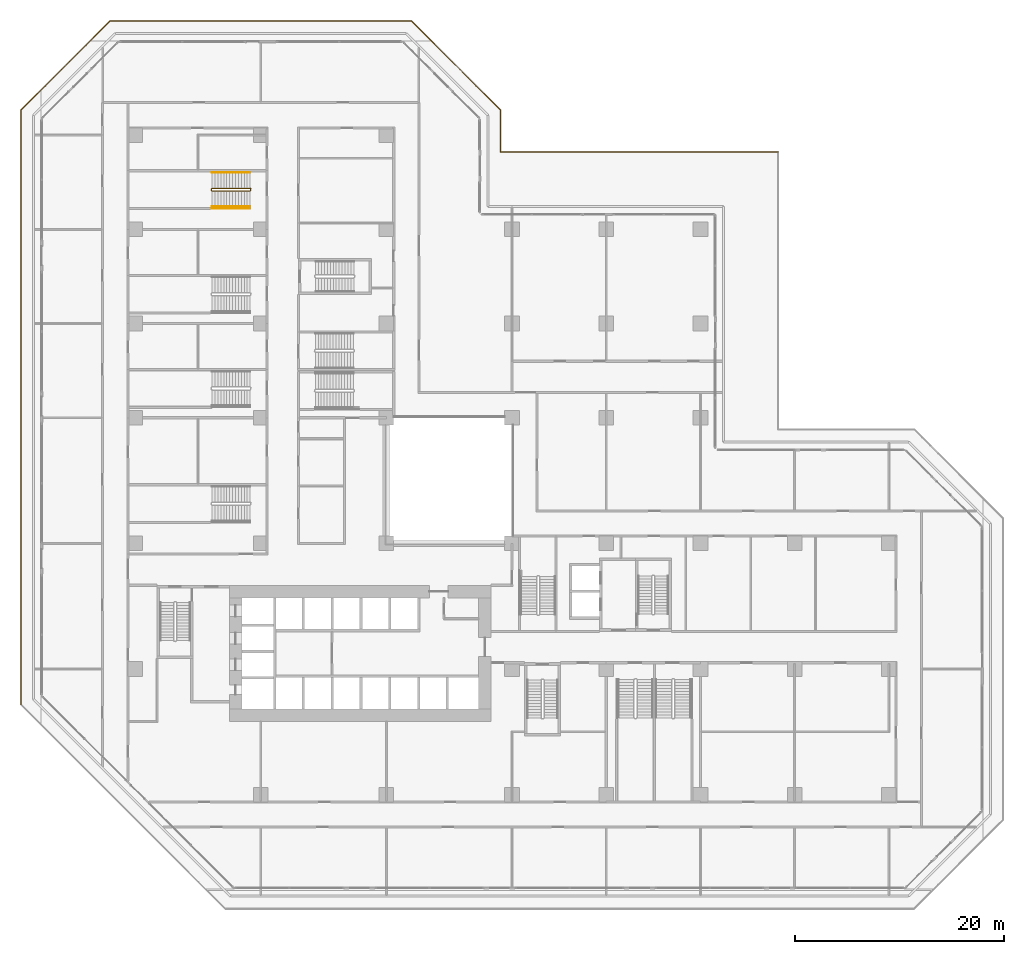
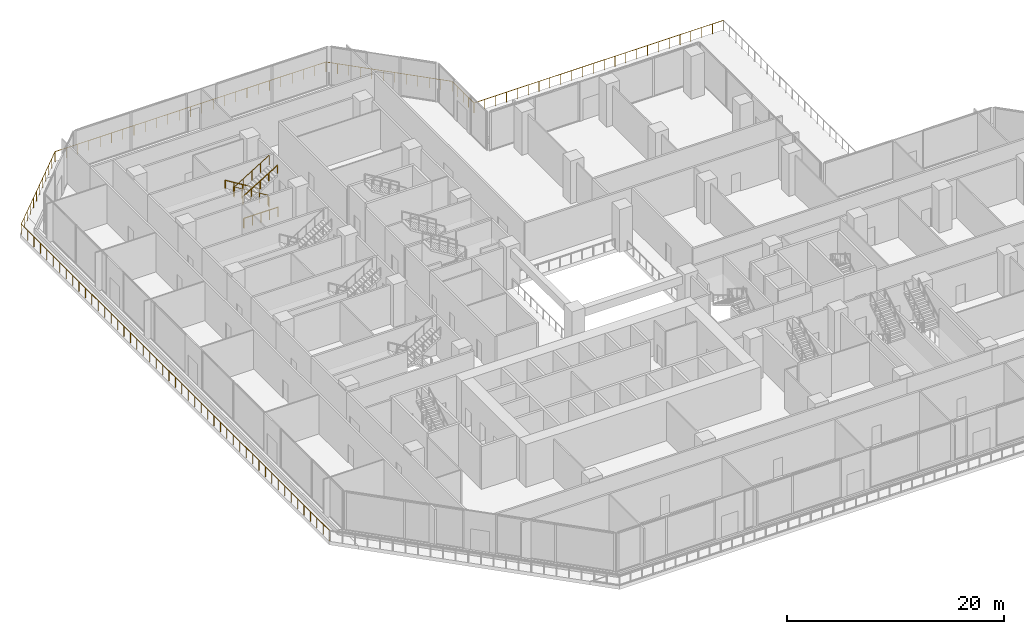
# One storey, part 26 of 26: 5 railings.
"""IFC4 building model written with IfcOpenShell, lengths in metres."""

import ifcopenshell
import ifcopenshell.guid

model = None  # the IFC model being written
_history = None  # IfcOwnerHistory: only IFC2X3 demands one
_inside = {}  # id of a spatial element -> (the spatial element, [elements in it])
_under = {}  # id of a project, library or spatial element -> (it, [spatial elements below it])
_declared = {}  # id of a project -> (the project, [libraries it declares])
_typed = {}  # id of a type object -> (the type object, [elements of that type])
_made_of = {}  # id of a material, layer set ... -> (it, [elements and type objects made of it])


def new_model(schema):
    """Start an empty IFC model of exactly this schema.

    Asked for "IFC4X3", IfcOpenShell would pick the latest addendum, in which some entities
    have other attributes; the version numbers below select the first issue.
    IFC2X3 requires an IfcOwnerHistory on every rooted entity: one is made here for all.
    """
    global model, _history
    if schema == "IFC4X3":
        model = ifcopenshell.file(schema_version=(4, 3, 0, 0))
    else:
        model = ifcopenshell.file(schema=schema)
    _inside.clear()
    _under.clear()
    _declared.clear()
    _typed.clear()
    _made_of.clear()
    _history = None
    if model.schema == "IFC2X3":
        org = make("IfcOrganization", Name="unknown")
        user = make(
            "IfcPersonAndOrganization",
            ThePerson=make("IfcPerson", FamilyName="unknown"),
            TheOrganization=org,
        )
        app = make(
            "IfcApplication",
            ApplicationDeveloper=org,
            Version="unknown",
            ApplicationFullName="unknown",
            ApplicationIdentifier="unknown",
        )
        _history = make(
            "IfcOwnerHistory",
            OwningUser=user,
            OwningApplication=app,
            ChangeAction="ADDED",
            CreationDate=0,
        )
    return model


def make(cls, **values):
    """One entity of the class cls with the attributes given. An attribute that is None is left unset."""
    return model.create_entity(
        cls, **{name: value for name, value in values.items() if value is not None}
    )


def rooted(cls, **values):
    """An entity with a GlobalId (a new one), such as an element, a storey or a relation."""
    return make(cls, GlobalId=ifcopenshell.guid.new(), OwnerHistory=_history, **values)


def si_unit(unit_type, name, prefix=None):
    """IfcSIUnit, for example si_unit("LENGTHUNIT", "METRE", prefix="MILLI")."""
    return make("IfcSIUnit", UnitType=unit_type, Prefix=prefix, Name=name)


def assignment(units):
    """IfcUnitAssignment: the units of a project."""
    return None if units is None else make("IfcUnitAssignment", Units=units)


def point(xyz):
    """IfcCartesianPoint."""
    return None if xyz is None else make("IfcCartesianPoint", Coordinates=xyz)


def direction(xyz):
    """IfcDirection."""
    return None if xyz is None else make("IfcDirection", DirectionRatios=xyz)


def frame(location, z_axis=None, x_axis=None):
    """IfcAxis2Placement3D, a coordinate frame: its origin and axes. An axis left out is left unset."""
    return make(
        "IfcAxis2Placement3D",
        Location=point(location),
        Axis=direction(z_axis),
        RefDirection=direction(x_axis),
    )


def frame_2d(location, x_axis=None):
    """IfcAxis2Placement2D, a coordinate frame in the plane: its origin and x axis."""
    return make(
        "IfcAxis2Placement2D", Location=point(location), RefDirection=direction(x_axis)
    )


def origin():
    """The frame at (0, 0, 0) with its axes left unset."""
    return frame((0.0, 0.0, 0.0))


def origin_2d():
    """The frame at (0, 0) in the plane with its x axis left unset."""
    return frame_2d((0.0, 0.0))


def place(relative_to, where):
    """IfcLocalPlacement: puts the frame where relative to a parent placement (None: the world)."""
    return make(
        "IfcLocalPlacement", PlacementRelTo=relative_to, RelativePlacement=where
    )


def context(
    kind, dimensions, precision=None, world=None, true_north=None, identifier=None
):
    """IfcGeometricRepresentationContext, for example the 3D "Model" context."""
    return make(
        "IfcGeometricRepresentationContext",
        ContextIdentifier=identifier,
        ContextType=kind,
        CoordinateSpaceDimension=dimensions,
        Precision=precision,
        WorldCoordinateSystem=world,
        TrueNorth=true_north,
    )


def subcontext(parent, identifier, kind, view, scale=None):
    """IfcGeometricRepresentationSubContext, for example "Body" below "Model"."""
    return make(
        "IfcGeometricRepresentationSubContext",
        ContextIdentifier=identifier,
        ContextType=kind,
        ParentContext=parent,
        TargetScale=scale,
        TargetView=view,
    )


def project(units=None, contexts=None):
    """IfcProject with its units and contexts."""
    return rooted(
        "IfcProject",
        Name="project",
        RepresentationContexts=contexts,
        UnitsInContext=assignment(units),
    )


def spatial(cls, under=None, at=None, **own):
    """A site, building, storey or space (cls), placed at a placement, below another one or the project."""
    s = rooted(cls, ObjectPlacement=at, **own)
    if under is not None:
        _under.setdefault(under.id(), (under, []))[1].append(s)
    return s


def profile(cls, at=None, kind="AREA", **sizes):
    """A parametric profile (cls). Its sizes go by their IFC names, for example OverallWidth=200.0."""
    return make(cls, ProfileType=kind, Position=at, **sizes)


def rectangle(**sizes):
    """IfcRectangleProfileDef."""
    return profile("IfcRectangleProfileDef", **sizes)


def extrude(swept, where, along, depth):
    """IfcExtrudedAreaSolid: the profile swept, set in the frame where, extruded along a direction by depth."""
    return make(
        "IfcExtrudedAreaSolid",
        SweptArea=swept,
        Position=where,
        ExtrudedDirection=direction(along),
        Depth=depth,
    )


def shape(context_of_items, identifier, shape_type, items):
    """IfcShapeRepresentation: the items that make up one representation, for example the "Body"."""
    return make(
        "IfcShapeRepresentation",
        ContextOfItems=context_of_items,
        RepresentationIdentifier=identifier,
        RepresentationType=shape_type,
        Items=items,
    )


def material(Name=None, Category=None):
    """IfcMaterial."""
    return make("IfcMaterial", Name=Name, Category=Category)


def made_of(thing, what):
    """Note that an element or type object is made of a material, layer set ...; save() writes the relation."""
    if what is not None:
        _made_of.setdefault(what.id(), (what, []))[1].append(thing)
    return thing


def type_object(cls, material=None, **own):
    """A type object (cls), such as IfcWallType, which elements share."""
    return made_of(rooted(cls, **own), material)


def element(
    cls,
    number,
    at=None,
    inside=None,
    cuts=None,
    type_object=None,
    material=None,
    context=None,
    identifier="Body",
    shape_type=None,
    held_by="IfcProductDefinitionShape",
    body=None,
    shapes=None,
    **own,
):
    """One element of the class cls, such as IfcWall. Its Tag is "e" and its number.

    at: its placement. inside: the storey or other place that contains it. cuts: it is an
    opening in that element (IfcRelVoidsElement). A single representation is given by context,
    identifier, shape_type and body (its items); several are given by shapes. held_by: the class
    of the entity that holds the representations. save() writes the other relations.
    """
    e = rooted(cls, Tag="e%d" % number, ObjectPlacement=at, **own)
    if body is not None:
        shapes = [shape(context, identifier, shape_type, body)]
    if shapes is not None:
        e.Representation = make(held_by, Representations=shapes)
    if inside is not None:
        _inside.setdefault(inside.id(), (inside, []))[1].append(e)
    if cuts is not None:
        rooted(
            "IfcRelVoidsElement", RelatingBuildingElement=cuts, RelatedOpeningElement=e
        )
    if type_object is not None:
        _typed.setdefault(type_object.id(), (type_object, []))[1].append(e)
    return made_of(e, material)


def aggregate(whole, parts):
    """IfcRelAggregates: a whole, such as a stair, and the parts it consists of."""
    return rooted("IfcRelAggregates", RelatingObject=whole, RelatedObjects=parts)


def save(model, path):
    """Write the relations noted so far, then the file.

    IfcRelAggregates (storeys below a building ...), IfcRelContainedInSpatialStructure (elements
    in a storey), IfcRelDefinesByType, IfcRelAssociatesMaterial and IfcRelDeclares: one each for
    every whole, place, type object, material and project.
    """
    for whole, parts in _under.values():
        aggregate(whole, parts)
    for where, things in _inside.values():
        rooted(
            "IfcRelContainedInSpatialStructure",
            RelatedElements=things,
            RelatingStructure=where,
        )
    for kind, things in _typed.values():
        rooted("IfcRelDefinesByType", RelatedObjects=things, RelatingType=kind)
    for what, things in _made_of.values():
        rooted("IfcRelAssociatesMaterial", RelatedObjects=things, RelatingMaterial=what)
    for by, libraries in _declared.values():
        rooted("IfcRelDeclares", RelatingContext=by, RelatedDefinitions=libraries)
    model.write(path)


model = new_model("IFC4")

# Units and contexts
model_context = context("Model", 3, precision=1e-05, world=origin(), true_north=direction((0.0, 1.0)))
body_context = subcontext(model_context, "Body", "Model", "MODEL_VIEW")
ifc_project = project(units=[si_unit("LENGTHUNIT", "METRE"), si_unit("AREAUNIT", "SQUARE_METRE"), si_unit("VOLUMEUNIT", "CUBIC_METRE"), si_unit("PLANEANGLEUNIT", "RADIAN"), si_unit("MASSUNIT", "GRAM", prefix="KILO")], contexts=[model_context])

# Site, building, storey
site_placement = place(None, origin())
site = spatial("IfcSite", under=ifc_project, at=site_placement, CompositionType="ELEMENT")
building_placement = place(site_placement, origin())
building = spatial("IfcBuilding", under=site, at=building_placement, Name="Chenar Terraces", CompositionType="ELEMENT")
storey_placement = place(building_placement, frame((0.0, 0.0, 16.800048828125)))
storey = spatial("IfcBuildingStorey", under=building, at=storey_placement, Name="L03", CompositionType="ELEMENT", Elevation=16.800048828125)

# Railings
ifc_material_1 = material(Name="Powder-coated steel", Category="steel")
railing_type_1 = type_object("IfcRailingType", Name="Stair guard 1100", PredefinedType="GUARDRAIL", material=ifc_material_1)
railing_1_placement = place(storey_placement, frame((10.985107421875, 57.675048828125, 4.800048828125)))
element("IfcRailing", 1, at=railing_1_placement, inside=storey, type_object=railing_type_1, Name="L03 PS3 stair guard 1", PredefinedType="GUARDRAIL", context=body_context, shape_type="SweptSolid", body=[
    extrude(rectangle(XDim=0.048095703125, YDim=0.048095703125, at=origin_2d()), frame((0.0, 0.0, 1.076171875), z_axis=(-0.852840387347, 0.0, -0.522171689878), x_axis=(0.0, -1.0, 0.0)), (0.0, 0.0, 1.0), 4.268310546875),
    extrude(rectangle(XDim=0.048095703125, YDim=0.048095703125, at=origin_2d()), frame((-3.64013671875, 0.0, -1.15283203125), z_axis=(-0.269911200495, 0.269911200495, -0.924281281696), x_axis=(-0.707106781187, -0.707106781187, 0.0)), (0.0, 0.0, 1.0), 0.185546875),
    extrude(rectangle(XDim=0.048095703125, YDim=0.048095703125, at=origin_2d()), frame((-3.690185546875, 0.050048828125, -1.32421875), z_axis=(0.0, 1.0, 0.0), x_axis=(-1.0, 0.0, 0.0)), (0.0, 0.0, 1.0), 0.14990234375),
    extrude(rectangle(XDim=0.048095703125, YDim=0.048095703125, at=origin_2d()), frame((-3.690185546875, 0.199951171875, -1.32421875), z_axis=(0.707106781187, 0.707106781187, 0.0), x_axis=(-0.707106781187, 0.707106781187, 0.0)), (0.0, 0.0, 1.0), 0.07080078125),
    extrude(rectangle(XDim=0.048095703125, YDim=0.048095703125, at=origin_2d()), frame((-3.64013671875, 0.25, -1.32421875), z_axis=(0.852865859571, 0.0, -0.52213008492), x_axis=(0.0, 1.0, 0.0)), (0.0, 0.0, 1.0), 4.26806640625),
    extrude(rectangle(XDim=0.048095703125, YDim=0.048095703125, at=origin_2d()), frame((0.0, 0.25, -3.552734375), z_axis=(0.268689830376, -0.270006937388, -0.924609122178), x_axis=(0.708833529934, 0.705375805398, 0.0)), (0.0, 0.0, 1.0), 0.185302734375),
    extrude(rectangle(XDim=0.048095703125, YDim=0.048095703125, at=origin_2d()), frame((0.0498046875, 0.199951171875, -3.72412109375), z_axis=(0.0, -1.0, 0.0), x_axis=(1.0, 0.0, 0.0)), (0.0, 0.0, 1.0), 0.14990234375),
    extrude(rectangle(XDim=0.0419921875, YDim=0.0419921875, at=origin_2d()), origin(), (0.0, 0.0, 1.0), 1.052001953125),
    extrude(rectangle(XDim=0.0419921875, YDim=0.0419921875, at=origin_2d()), frame((-0.91015625, 0.0, -0.55712890625)), (0.0, 0.0, 1.0), 1.052001953125),
    extrude(rectangle(XDim=0.0419921875, YDim=0.0419921875, at=origin_2d()), frame((-1.820068359375, 0.0, -1.1142578125)), (0.0, 0.0, 1.0), 1.052001953125),
    extrude(rectangle(XDim=0.0419921875, YDim=0.0419921875, at=origin_2d()), frame((-2.72998046875, 0.0, -1.671630859375)), (0.0, 0.0, 1.0), 1.052001953125),
    extrude(rectangle(XDim=0.0419921875, YDim=0.0419921875, at=origin_2d()), frame((-3.64013671875, 0.0, -2.228759765625)), (0.0, 0.0, 1.0), 1.052001953125),
    extrude(rectangle(XDim=0.0419921875, YDim=0.0419921875, at=origin_2d()), frame((-3.690185546875, 0.050048828125, -2.400146484375)), (0.0, 0.0, 1.0), 1.052001953125),
    extrude(rectangle(XDim=0.0419921875, YDim=0.0419921875, at=origin_2d()), frame((-3.690185546875, 0.199951171875, -2.400146484375)), (0.0, 0.0, 1.0), 1.052001953125),
    extrude(rectangle(XDim=0.0419921875, YDim=0.0419921875, at=origin_2d()), frame((-3.64013671875, 0.25, -2.400146484375)), (0.0, 0.0, 1.0), 1.052001953125),
    extrude(rectangle(XDim=0.0419921875, YDim=0.0419921875, at=origin_2d()), frame((-2.72998046875, 0.25, -2.957275390625)), (0.0, 0.0, 1.0), 1.052001953125),
    extrude(rectangle(XDim=0.0419921875, YDim=0.0419921875, at=origin_2d()), frame((-1.820068359375, 0.25, -3.514404296875)), (0.0, 0.0, 1.0), 1.052001953125),
    extrude(rectangle(XDim=0.0419921875, YDim=0.0419921875, at=origin_2d()), frame((-0.91015625, 0.25, -4.071533203125)), (0.0, 0.0, 1.0), 1.052001953125),
    extrude(rectangle(XDim=0.0419921875, YDim=0.0419921875, at=origin_2d()), frame((0.0, 0.25, -4.628662109375)), (0.0, 0.0, 1.0), 1.052001953125),
    extrude(rectangle(XDim=0.0419921875, YDim=0.0419921875, at=origin_2d()), frame((0.0498046875, 0.199951171875, -4.800048828125)), (0.0, 0.0, 1.0), 1.052001953125),
    extrude(rectangle(XDim=0.0419921875, YDim=0.0419921875, at=origin_2d()), frame((0.0498046875, 0.050048828125, -4.800048828125)), (0.0, 0.0, 1.0), 1.052001953125),
])
railing_2_placement = place(storey_placement, frame((7.32421875, 56.010009765625, 0.0)))
element("IfcRailing", 2, at=railing_2_placement, inside=storey, type_object=railing_type_1, Name="L03 PS3 stair guard 101", PredefinedType="GUARDRAIL", context=body_context, shape_type="SweptSolid", body=[
    extrude(rectangle(XDim=0.048095703125, YDim=0.048095703125, at=origin_2d()), frame((0.0, 0.0, 1.076171875), z_axis=(1.0, 0.0, 0.0), x_axis=(0.0, 1.0, 0.0)), (0.0, 0.0, 1.0), 3.660888671875),
    extrude(rectangle(XDim=0.0419921875, YDim=0.0419921875, at=origin_2d()), origin(), (0.0, 0.0, 1.0), 1.052001953125),
    extrude(rectangle(XDim=0.0419921875, YDim=0.0419921875, at=origin_2d()), frame((0.915283203125, 0.0, 0.0)), (0.0, 0.0, 1.0), 1.052001953125),
    extrude(rectangle(XDim=0.0419921875, YDim=0.0419921875, at=origin_2d()), frame((1.83056640625, 0.0, 0.0)), (0.0, 0.0, 1.0), 1.052001953125),
    extrude(rectangle(XDim=0.0419921875, YDim=0.0419921875, at=origin_2d()), frame((2.74560546875, 0.0, 0.0)), (0.0, 0.0, 1.0), 1.052001953125),
    extrude(rectangle(XDim=0.0419921875, YDim=0.0419921875, at=origin_2d()), frame((3.660888671875, 0.0, 0.0)), (0.0, 0.0, 1.0), 1.052001953125),
])
ifc_material_2 = material(Name="Powder-coated steel", Category="steel")
railing_type_2 = type_object("IfcRailingType", Name="Stair handrail 900", PredefinedType="HANDRAIL", material=ifc_material_2)
railing_3_placement = place(storey_placement, frame((10.985107421875, 59.43994140625, 0.17138671875)))
element("IfcRailing", 3, at=railing_3_placement, inside=storey, type_object=railing_type_2, Name="L03 PS3 stair handrail 1", PredefinedType="HANDRAIL", context=body_context, shape_type="SweptSolid", body=[
    extrude(rectangle(XDim=0.048095703125, YDim=0.048095703125, at=origin_2d()), frame((0.0, 0.0, 0.8759765625), z_axis=(-0.852865859571, 0.0, 0.52213008492), x_axis=(0.0, -1.0, 0.0)), (0.0, 0.0, 1.0), 4.26806640625),
    extrude(rectangle(XDim=0.0419921875, YDim=0.0419921875, at=origin_2d()), origin(), (0.0, 0.0, 1.0), 0.851806640625),
    extrude(rectangle(XDim=0.0419921875, YDim=0.0419921875, at=origin_2d()), frame((-0.91015625, 0.0, 0.55712890625)), (0.0, 0.0, 1.0), 0.851806640625),
    extrude(rectangle(XDim=0.0419921875, YDim=0.0419921875, at=origin_2d()), frame((-1.820068359375, 0.0, 1.1142578125)), (0.0, 0.0, 1.0), 0.851806640625),
    extrude(rectangle(XDim=0.0419921875, YDim=0.0419921875, at=origin_2d()), frame((-2.72998046875, 0.0, 1.67138671875)), (0.0, 0.0, 1.0), 0.851806640625),
    extrude(rectangle(XDim=0.0419921875, YDim=0.0419921875, at=origin_2d()), frame((-3.64013671875, 0.0, 2.228515625)), (0.0, 0.0, 1.0), 0.851806640625),
])
railing_4_placement = place(storey_placement, frame((7.344970703125, 56.159912109375, 2.5712890625)))
element("IfcRailing", 4, at=railing_4_placement, inside=storey, type_object=railing_type_2, Name="L03 PS3 stair handrail 2", PredefinedType="HANDRAIL", context=body_context, shape_type="SweptSolid", body=[
    extrude(rectangle(XDim=0.048095703125, YDim=0.048095703125, at=origin_2d()), frame((0.0, 0.0, 0.8759765625), z_axis=(0.852840387347, 0.0, 0.522171689878), x_axis=(0.0, 1.0, 0.0)), (0.0, 0.0, 1.0), 4.268310546875),
    extrude(rectangle(XDim=0.0419921875, YDim=0.0419921875, at=origin_2d()), origin(), (0.0, 0.0, 1.0), 0.851806640625),
    extrude(rectangle(XDim=0.0419921875, YDim=0.0419921875, at=origin_2d()), frame((0.91015625, 0.0, 0.55712890625)), (0.0, 0.0, 1.0), 0.851806640625),
    extrude(rectangle(XDim=0.0419921875, YDim=0.0419921875, at=origin_2d()), frame((1.820068359375, 0.0, 1.1142578125)), (0.0, 0.0, 1.0), 0.851806640625),
    extrude(rectangle(XDim=0.0419921875, YDim=0.0419921875, at=origin_2d()), frame((2.72998046875, 0.0, 1.671630859375)), (0.0, 0.0, 1.0), 0.851806640625),
    extrude(rectangle(XDim=0.0419921875, YDim=0.0419921875, at=origin_2d()), frame((3.64013671875, 0.0, 2.228759765625)), (0.0, 0.0, 1.0), 0.851806640625),
])
ifc_material_3 = material(Name="Stainless steel and glass", Category="steel")
railing_type_3 = type_object("IfcRailingType", Name="Terrace guard 1150", PredefinedType="GUARDRAIL", material=ifc_material_3)
railing_5_placement = place(storey_placement, frame((-10.89990234375, 8.6064453125, 0.0)))
element("IfcRailing", 5, at=railing_5_placement, inside=storey, type_object=railing_type_3, Name="Terrace guard", PredefinedType="GUARDRAIL", context=body_context, shape_type="SweptSolid", body=[
    extrude(rectangle(XDim=0.048095703125, YDim=0.048095703125, at=origin_2d()), frame((0.0, 0.0, 1.1259765625), z_axis=(0.0, 1.0, 0.0), x_axis=(-1.0, 0.0, 0.0)), (0.0, 0.0, 1.0), 56.787109375),
    extrude(rectangle(XDim=0.048095703125, YDim=0.048095703125, at=origin_2d()), frame((0.0, 56.787109375, 1.1259765625), z_axis=(0.707106781187, 0.707106781187, 0.0), x_axis=(-0.707106781187, 0.707106781187, 0.0)), (0.0, 0.0, 1.0), 12.02978515625),
    extrude(rectangle(XDim=0.048095703125, YDim=0.048095703125, at=origin_2d()), frame((8.50634765625, 65.29345703125, 1.1259765625), z_axis=(1.0, 0.0, 0.0), x_axis=(0.0, 1.0, 0.0)), (0.0, 0.0, 1.0), 28.787109375),
    extrude(rectangle(XDim=0.048095703125, YDim=0.048095703125, at=origin_2d()), frame((37.29345703125, 65.29345703125, 1.1259765625), z_axis=(0.707106781187, -0.707106781187, 0.0), x_axis=(0.707106781187, 0.707106781187, 0.0)), (0.0, 0.0, 1.0), 12.02978515625),
    extrude(rectangle(XDim=0.048095703125, YDim=0.048095703125, at=origin_2d()), frame((45.7998046875, 56.787109375, 1.1259765625), z_axis=(0.0, -1.0, 0.0), x_axis=(1.0, 0.0, 0.0)), (0.0, 0.0, 1.0), 3.99365234375),
    extrude(rectangle(XDim=0.048095703125, YDim=0.048095703125, at=origin_2d()), frame((45.7998046875, 52.79345703125, 1.1259765625), z_axis=(1.0, 0.0, 0.0), x_axis=(0.0, 1.0, 0.0)), (0.0, 0.0, 1.0), 26.5),
    extrude(rectangle(XDim=0.0419921875, YDim=0.0419921875, at=origin_2d()), origin(), (0.0, 0.0, 1.0), 1.101806640625),
    extrude(rectangle(XDim=0.0419921875, YDim=0.0419921875, at=origin_2d()), frame((0.0, 1.18310546875, 0.0)), (0.0, 0.0, 1.0), 1.101806640625),
    extrude(rectangle(XDim=0.0419921875, YDim=0.0419921875, at=origin_2d()), frame((0.0, 2.3662109375, 0.0)), (0.0, 0.0, 1.0), 1.101806640625),
    extrude(rectangle(XDim=0.0419921875, YDim=0.0419921875, at=origin_2d()), frame((0.0, 3.54931640625, 0.0)), (0.0, 0.0, 1.0), 1.101806640625),
    extrude(rectangle(XDim=0.0419921875, YDim=0.0419921875, at=origin_2d()), frame((0.0, 4.732177734375, 0.0)), (0.0, 0.0, 1.0), 1.101806640625),
    extrude(rectangle(XDim=0.0419921875, YDim=0.0419921875, at=origin_2d()), frame((0.0, 5.915283203125, 0.0)), (0.0, 0.0, 1.0), 1.101806640625),
    extrude(rectangle(XDim=0.0419921875, YDim=0.0419921875, at=origin_2d()), frame((0.0, 7.098388671875, 0.0)), (0.0, 0.0, 1.0), 1.101806640625),
    extrude(rectangle(XDim=0.0419921875, YDim=0.0419921875, at=origin_2d()), frame((0.0, 8.281494140625, 0.0)), (0.0, 0.0, 1.0), 1.101806640625),
    extrude(rectangle(XDim=0.0419921875, YDim=0.0419921875, at=origin_2d()), frame((0.0, 9.464599609375, 0.0)), (0.0, 0.0, 1.0), 1.101806640625),
    extrude(rectangle(XDim=0.0419921875, YDim=0.0419921875, at=origin_2d()), frame((0.0, 10.6474609375, 0.0)), (0.0, 0.0, 1.0), 1.101806640625),
    extrude(rectangle(XDim=0.0419921875, YDim=0.0419921875, at=origin_2d()), frame((0.0, 11.83056640625, 0.0)), (0.0, 0.0, 1.0), 1.101806640625),
    extrude(rectangle(XDim=0.0419921875, YDim=0.0419921875, at=origin_2d()), frame((0.0, 13.013671875, 0.0)), (0.0, 0.0, 1.0), 1.101806640625),
    extrude(rectangle(XDim=0.0419921875, YDim=0.0419921875, at=origin_2d()), frame((0.0, 14.19677734375, 0.0)), (0.0, 0.0, 1.0), 1.101806640625),
    extrude(rectangle(XDim=0.0419921875, YDim=0.0419921875, at=origin_2d()), frame((0.0, 15.3798828125, 0.0)), (0.0, 0.0, 1.0), 1.101806640625),
    extrude(rectangle(XDim=0.0419921875, YDim=0.0419921875, at=origin_2d()), frame((0.0, 16.56298828125, 0.0)), (0.0, 0.0, 1.0), 1.101806640625),
    extrude(rectangle(XDim=0.0419921875, YDim=0.0419921875, at=origin_2d()), frame((0.0, 17.74609375, 0.0)), (0.0, 0.0, 1.0), 1.101806640625),
    extrude(rectangle(XDim=0.0419921875, YDim=0.0419921875, at=origin_2d()), frame((0.0, 18.928955078125, 0.0)), (0.0, 0.0, 1.0), 1.101806640625),
    extrude(rectangle(XDim=0.0419921875, YDim=0.0419921875, at=origin_2d()), frame((0.0, 20.112060546875, 0.0)), (0.0, 0.0, 1.0), 1.101806640625),
    extrude(rectangle(XDim=0.0419921875, YDim=0.0419921875, at=origin_2d()), frame((0.0, 21.295166015625, 0.0)), (0.0, 0.0, 1.0), 1.101806640625),
    extrude(rectangle(XDim=0.0419921875, YDim=0.0419921875, at=origin_2d()), frame((0.0, 22.478271484375, 0.0)), (0.0, 0.0, 1.0), 1.101806640625),
    extrude(rectangle(XDim=0.0419921875, YDim=0.0419921875, at=origin_2d()), frame((0.0, 23.661376953125, 0.0)), (0.0, 0.0, 1.0), 1.101806640625),
    extrude(rectangle(XDim=0.0419921875, YDim=0.0419921875, at=origin_2d()), frame((0.0, 24.84423828125, 0.0)), (0.0, 0.0, 1.0), 1.101806640625),
    extrude(rectangle(XDim=0.0419921875, YDim=0.0419921875, at=origin_2d()), frame((0.0, 26.02734375, 0.0)), (0.0, 0.0, 1.0), 1.101806640625),
    extrude(rectangle(XDim=0.0419921875, YDim=0.0419921875, at=origin_2d()), frame((0.0, 27.21044921875, 0.0)), (0.0, 0.0, 1.0), 1.101806640625),
    extrude(rectangle(XDim=0.0419921875, YDim=0.0419921875, at=origin_2d()), frame((0.0, 28.3935546875, 0.0)), (0.0, 0.0, 1.0), 1.101806640625),
    extrude(rectangle(XDim=0.0419921875, YDim=0.0419921875, at=origin_2d()), frame((0.0, 29.57666015625, 0.0)), (0.0, 0.0, 1.0), 1.101806640625),
    extrude(rectangle(XDim=0.0419921875, YDim=0.0419921875, at=origin_2d()), frame((0.0, 30.759765625, 0.0)), (0.0, 0.0, 1.0), 1.101806640625),
    extrude(rectangle(XDim=0.0419921875, YDim=0.0419921875, at=origin_2d()), frame((0.0, 31.94287109375, 0.0)), (0.0, 0.0, 1.0), 1.101806640625),
    extrude(rectangle(XDim=0.0419921875, YDim=0.0419921875, at=origin_2d()), frame((0.0, 33.125732421875, 0.0)), (0.0, 0.0, 1.0), 1.101806640625),
    extrude(rectangle(XDim=0.0419921875, YDim=0.0419921875, at=origin_2d()), frame((0.0, 34.308837890625, 0.0)), (0.0, 0.0, 1.0), 1.101806640625),
    extrude(rectangle(XDim=0.0419921875, YDim=0.0419921875, at=origin_2d()), frame((0.0, 35.491943359375, 0.0)), (0.0, 0.0, 1.0), 1.101806640625),
    extrude(rectangle(XDim=0.0419921875, YDim=0.0419921875, at=origin_2d()), frame((0.0, 36.675048828125, 0.0)), (0.0, 0.0, 1.0), 1.101806640625),
    extrude(rectangle(XDim=0.0419921875, YDim=0.0419921875, at=origin_2d()), frame((0.0, 37.858154296875, 0.0)), (0.0, 0.0, 1.0), 1.101806640625),
    extrude(rectangle(XDim=0.0419921875, YDim=0.0419921875, at=origin_2d()), frame((0.0, 39.041015625, 0.0)), (0.0, 0.0, 1.0), 1.101806640625),
    extrude(rectangle(XDim=0.0419921875, YDim=0.0419921875, at=origin_2d()), frame((0.0, 40.22412109375, 0.0)), (0.0, 0.0, 1.0), 1.101806640625),
    extrude(rectangle(XDim=0.0419921875, YDim=0.0419921875, at=origin_2d()), frame((0.0, 41.4072265625, 0.0)), (0.0, 0.0, 1.0), 1.101806640625),
    extrude(rectangle(XDim=0.0419921875, YDim=0.0419921875, at=origin_2d()), frame((0.0, 42.59033203125, 0.0)), (0.0, 0.0, 1.0), 1.101806640625),
    extrude(rectangle(XDim=0.0419921875, YDim=0.0419921875, at=origin_2d()), frame((0.0, 43.7734375, 0.0)), (0.0, 0.0, 1.0), 1.101806640625),
    extrude(rectangle(XDim=0.0419921875, YDim=0.0419921875, at=origin_2d()), frame((0.0, 44.95654296875, 0.0)), (0.0, 0.0, 1.0), 1.101806640625),
    extrude(rectangle(XDim=0.0419921875, YDim=0.0419921875, at=origin_2d()), frame((0.0, 46.1396484375, 0.0)), (0.0, 0.0, 1.0), 1.101806640625),
    extrude(rectangle(XDim=0.0419921875, YDim=0.0419921875, at=origin_2d()), frame((0.0, 47.322509765625, 0.0)), (0.0, 0.0, 1.0), 1.101806640625),
    extrude(rectangle(XDim=0.0419921875, YDim=0.0419921875, at=origin_2d()), frame((0.0, 48.505615234375, 0.0)), (0.0, 0.0, 1.0), 1.101806640625),
    extrude(rectangle(XDim=0.0419921875, YDim=0.0419921875, at=origin_2d()), frame((0.0, 49.688720703125, 0.0)), (0.0, 0.0, 1.0), 1.101806640625),
    extrude(rectangle(XDim=0.0419921875, YDim=0.0419921875, at=origin_2d()), frame((0.0, 50.871826171875, 0.0)), (0.0, 0.0, 1.0), 1.101806640625),
    extrude(rectangle(XDim=0.0419921875, YDim=0.0419921875, at=origin_2d()), frame((0.0, 52.054931640625, 0.0)), (0.0, 0.0, 1.0), 1.101806640625),
    extrude(rectangle(XDim=0.0419921875, YDim=0.0419921875, at=origin_2d()), frame((0.0, 53.23779296875, 0.0)), (0.0, 0.0, 1.0), 1.101806640625),
    extrude(rectangle(XDim=0.0419921875, YDim=0.0419921875, at=origin_2d()), frame((0.0, 54.4208984375, 0.0)), (0.0, 0.0, 1.0), 1.101806640625),
    extrude(rectangle(XDim=0.0419921875, YDim=0.0419921875, at=origin_2d()), frame((0.0, 55.60400390625, 0.0)), (0.0, 0.0, 1.0), 1.101806640625),
    extrude(rectangle(XDim=0.0419921875, YDim=0.0419921875, at=origin_2d()), frame((0.0, 56.787109375, 0.0)), (0.0, 0.0, 1.0), 1.101806640625),
    extrude(rectangle(XDim=0.0419921875, YDim=0.0419921875, at=origin_2d()), frame((0.773193359375, 57.560302734375, 0.0)), (0.0, 0.0, 1.0), 1.101806640625),
    extrude(rectangle(XDim=0.0419921875, YDim=0.0419921875, at=origin_2d()), frame((1.546630859375, 58.333740234375, 0.0)), (0.0, 0.0, 1.0), 1.101806640625),
    extrude(rectangle(XDim=0.0419921875, YDim=0.0419921875, at=origin_2d()), frame((2.31982421875, 59.10693359375, 0.0)), (0.0, 0.0, 1.0), 1.101806640625),
    extrude(rectangle(XDim=0.0419921875, YDim=0.0419921875, at=origin_2d()), frame((3.09326171875, 59.88037109375, 0.0)), (0.0, 0.0, 1.0), 1.101806640625),
    extrude(rectangle(XDim=0.0419921875, YDim=0.0419921875, at=origin_2d()), frame((3.866455078125, 60.653564453125, 0.0)), (0.0, 0.0, 1.0), 1.101806640625),
    extrude(rectangle(XDim=0.0419921875, YDim=0.0419921875, at=origin_2d()), frame((4.639892578125, 61.427001953125, 0.0)), (0.0, 0.0, 1.0), 1.101806640625),
    extrude(rectangle(XDim=0.0419921875, YDim=0.0419921875, at=origin_2d()), frame((5.4130859375, 62.2001953125, 0.0)), (0.0, 0.0, 1.0), 1.101806640625),
    extrude(rectangle(XDim=0.0419921875, YDim=0.0419921875, at=origin_2d()), frame((6.1865234375, 62.9736328125, 0.0)), (0.0, 0.0, 1.0), 1.101806640625),
    extrude(rectangle(XDim=0.0419921875, YDim=0.0419921875, at=origin_2d()), frame((6.959716796875, 63.746826171875, 0.0)), (0.0, 0.0, 1.0), 1.101806640625),
    extrude(rectangle(XDim=0.0419921875, YDim=0.0419921875, at=origin_2d()), frame((7.733154296875, 64.520263671875, 0.0)), (0.0, 0.0, 1.0), 1.101806640625),
    extrude(rectangle(XDim=0.0419921875, YDim=0.0419921875, at=origin_2d()), frame((8.50634765625, 65.29345703125, 0.0)), (0.0, 0.0, 1.0), 1.101806640625),
    extrude(rectangle(XDim=0.0419921875, YDim=0.0419921875, at=origin_2d()), frame((9.705810546875, 65.29345703125, 0.0)), (0.0, 0.0, 1.0), 1.101806640625),
    extrude(rectangle(XDim=0.0419921875, YDim=0.0419921875, at=origin_2d()), frame((10.9052734375, 65.29345703125, 0.0)), (0.0, 0.0, 1.0), 1.101806640625),
    extrude(rectangle(XDim=0.0419921875, YDim=0.0419921875, at=origin_2d()), frame((12.104736328125, 65.29345703125, 0.0)), (0.0, 0.0, 1.0), 1.101806640625),
    extrude(rectangle(XDim=0.0419921875, YDim=0.0419921875, at=origin_2d()), frame((13.30419921875, 65.29345703125, 0.0)), (0.0, 0.0, 1.0), 1.101806640625),
    extrude(rectangle(XDim=0.0419921875, YDim=0.0419921875, at=origin_2d()), frame((14.503662109375, 65.29345703125, 0.0)), (0.0, 0.0, 1.0), 1.101806640625),
    extrude(rectangle(XDim=0.0419921875, YDim=0.0419921875, at=origin_2d()), frame((15.703125, 65.29345703125, 0.0)), (0.0, 0.0, 1.0), 1.101806640625),
    extrude(rectangle(XDim=0.0419921875, YDim=0.0419921875, at=origin_2d()), frame((16.902587890625, 65.29345703125, 0.0)), (0.0, 0.0, 1.0), 1.101806640625),
    extrude(rectangle(XDim=0.0419921875, YDim=0.0419921875, at=origin_2d()), frame((18.10205078125, 65.29345703125, 0.0)), (0.0, 0.0, 1.0), 1.101806640625),
    extrude(rectangle(XDim=0.0419921875, YDim=0.0419921875, at=origin_2d()), frame((19.301513671875, 65.29345703125, 0.0)), (0.0, 0.0, 1.0), 1.101806640625),
    extrude(rectangle(XDim=0.0419921875, YDim=0.0419921875, at=origin_2d()), frame((20.5009765625, 65.29345703125, 0.0)), (0.0, 0.0, 1.0), 1.101806640625),
    extrude(rectangle(XDim=0.0419921875, YDim=0.0419921875, at=origin_2d()), frame((21.700439453125, 65.29345703125, 0.0)), (0.0, 0.0, 1.0), 1.101806640625),
    extrude(rectangle(XDim=0.0419921875, YDim=0.0419921875, at=origin_2d()), frame((22.89990234375, 65.29345703125, 0.0)), (0.0, 0.0, 1.0), 1.101806640625),
    extrude(rectangle(XDim=0.0419921875, YDim=0.0419921875, at=origin_2d()), frame((24.099365234375, 65.29345703125, 0.0)), (0.0, 0.0, 1.0), 1.101806640625),
    extrude(rectangle(XDim=0.0419921875, YDim=0.0419921875, at=origin_2d()), frame((25.298828125, 65.29345703125, 0.0)), (0.0, 0.0, 1.0), 1.101806640625),
    extrude(rectangle(XDim=0.0419921875, YDim=0.0419921875, at=origin_2d()), frame((26.498291015625, 65.29345703125, 0.0)), (0.0, 0.0, 1.0), 1.101806640625),
    extrude(rectangle(XDim=0.0419921875, YDim=0.0419921875, at=origin_2d()), frame((27.69775390625, 65.29345703125, 0.0)), (0.0, 0.0, 1.0), 1.101806640625),
    extrude(rectangle(XDim=0.0419921875, YDim=0.0419921875, at=origin_2d()), frame((28.897216796875, 65.29345703125, 0.0)), (0.0, 0.0, 1.0), 1.101806640625),
    extrude(rectangle(XDim=0.0419921875, YDim=0.0419921875, at=origin_2d()), frame((30.0966796875, 65.29345703125, 0.0)), (0.0, 0.0, 1.0), 1.101806640625),
    extrude(rectangle(XDim=0.0419921875, YDim=0.0419921875, at=origin_2d()), frame((31.296142578125, 65.29345703125, 0.0)), (0.0, 0.0, 1.0), 1.101806640625),
    extrude(rectangle(XDim=0.0419921875, YDim=0.0419921875, at=origin_2d()), frame((32.49560546875, 65.29345703125, 0.0)), (0.0, 0.0, 1.0), 1.101806640625),
    extrude(rectangle(XDim=0.0419921875, YDim=0.0419921875, at=origin_2d()), frame((33.695068359375, 65.29345703125, 0.0)), (0.0, 0.0, 1.0), 1.101806640625),
    extrude(rectangle(XDim=0.0419921875, YDim=0.0419921875, at=origin_2d()), frame((34.89453125, 65.29345703125, 0.0)), (0.0, 0.0, 1.0), 1.101806640625),
    extrude(rectangle(XDim=0.0419921875, YDim=0.0419921875, at=origin_2d()), frame((36.093994140625, 65.29345703125, 0.0)), (0.0, 0.0, 1.0), 1.101806640625),
    extrude(rectangle(XDim=0.0419921875, YDim=0.0419921875, at=origin_2d()), frame((37.29345703125, 65.29345703125, 0.0)), (0.0, 0.0, 1.0), 1.101806640625),
    extrude(rectangle(XDim=0.0419921875, YDim=0.0419921875, at=origin_2d()), frame((38.066650390625, 64.520263671875, 0.0)), (0.0, 0.0, 1.0), 1.101806640625),
    extrude(rectangle(XDim=0.0419921875, YDim=0.0419921875, at=origin_2d()), frame((38.840087890625, 63.746826171875, 0.0)), (0.0, 0.0, 1.0), 1.101806640625),
    extrude(rectangle(XDim=0.0419921875, YDim=0.0419921875, at=origin_2d()), frame((39.61328125, 62.9736328125, 0.0)), (0.0, 0.0, 1.0), 1.101806640625),
    extrude(rectangle(XDim=0.0419921875, YDim=0.0419921875, at=origin_2d()), frame((40.38671875, 62.2001953125, 0.0)), (0.0, 0.0, 1.0), 1.101806640625),
    extrude(rectangle(XDim=0.0419921875, YDim=0.0419921875, at=origin_2d()), frame((41.159912109375, 61.427001953125, 0.0)), (0.0, 0.0, 1.0), 1.101806640625),
    extrude(rectangle(XDim=0.0419921875, YDim=0.0419921875, at=origin_2d()), frame((41.933349609375, 60.653564453125, 0.0)), (0.0, 0.0, 1.0), 1.101806640625),
    extrude(rectangle(XDim=0.0419921875, YDim=0.0419921875, at=origin_2d()), frame((42.70654296875, 59.88037109375, 0.0)), (0.0, 0.0, 1.0), 1.101806640625),
    extrude(rectangle(XDim=0.0419921875, YDim=0.0419921875, at=origin_2d()), frame((43.47998046875, 59.10693359375, 0.0)), (0.0, 0.0, 1.0), 1.101806640625),
    extrude(rectangle(XDim=0.0419921875, YDim=0.0419921875, at=origin_2d()), frame((44.253173828125, 58.333740234375, 0.0)), (0.0, 0.0, 1.0), 1.101806640625),
    extrude(rectangle(XDim=0.0419921875, YDim=0.0419921875, at=origin_2d()), frame((45.026611328125, 57.560302734375, 0.0)), (0.0, 0.0, 1.0), 1.101806640625),
    extrude(rectangle(XDim=0.0419921875, YDim=0.0419921875, at=origin_2d()), frame((45.7998046875, 56.787109375, 0.0)), (0.0, 0.0, 1.0), 1.101806640625),
    extrude(rectangle(XDim=0.0419921875, YDim=0.0419921875, at=origin_2d()), frame((45.7998046875, 55.78857421875, 0.0)), (0.0, 0.0, 1.0), 1.101806640625),
    extrude(rectangle(XDim=0.0419921875, YDim=0.0419921875, at=origin_2d()), frame((45.7998046875, 54.790283203125, 0.0)), (0.0, 0.0, 1.0), 1.101806640625),
    extrude(rectangle(XDim=0.0419921875, YDim=0.0419921875, at=origin_2d()), frame((45.7998046875, 53.7919921875, 0.0)), (0.0, 0.0, 1.0), 1.101806640625),
    extrude(rectangle(XDim=0.0419921875, YDim=0.0419921875, at=origin_2d()), frame((45.7998046875, 52.79345703125, 0.0)), (0.0, 0.0, 1.0), 1.101806640625),
    extrude(rectangle(XDim=0.0419921875, YDim=0.0419921875, at=origin_2d()), frame((46.951904296875, 52.79345703125, 0.0)), (0.0, 0.0, 1.0), 1.101806640625),
    extrude(rectangle(XDim=0.0419921875, YDim=0.0419921875, at=origin_2d()), frame((48.104248046875, 52.79345703125, 0.0)), (0.0, 0.0, 1.0), 1.101806640625),
    extrude(rectangle(XDim=0.0419921875, YDim=0.0419921875, at=origin_2d()), frame((49.25634765625, 52.79345703125, 0.0)), (0.0, 0.0, 1.0), 1.101806640625),
    extrude(rectangle(XDim=0.0419921875, YDim=0.0419921875, at=origin_2d()), frame((50.408447265625, 52.79345703125, 0.0)), (0.0, 0.0, 1.0), 1.101806640625),
    extrude(rectangle(XDim=0.0419921875, YDim=0.0419921875, at=origin_2d()), frame((51.560791015625, 52.79345703125, 0.0)), (0.0, 0.0, 1.0), 1.101806640625),
    extrude(rectangle(XDim=0.0419921875, YDim=0.0419921875, at=origin_2d()), frame((52.712890625, 52.79345703125, 0.0)), (0.0, 0.0, 1.0), 1.101806640625),
    extrude(rectangle(XDim=0.0419921875, YDim=0.0419921875, at=origin_2d()), frame((53.864990234375, 52.79345703125, 0.0)), (0.0, 0.0, 1.0), 1.101806640625),
    extrude(rectangle(XDim=0.0419921875, YDim=0.0419921875, at=origin_2d()), frame((55.01708984375, 52.79345703125, 0.0)), (0.0, 0.0, 1.0), 1.101806640625),
    extrude(rectangle(XDim=0.0419921875, YDim=0.0419921875, at=origin_2d()), frame((56.16943359375, 52.79345703125, 0.0)), (0.0, 0.0, 1.0), 1.101806640625),
    extrude(rectangle(XDim=0.0419921875, YDim=0.0419921875, at=origin_2d()), frame((57.321533203125, 52.79345703125, 0.0)), (0.0, 0.0, 1.0), 1.101806640625),
    extrude(rectangle(XDim=0.0419921875, YDim=0.0419921875, at=origin_2d()), frame((58.4736328125, 52.79345703125, 0.0)), (0.0, 0.0, 1.0), 1.101806640625),
    extrude(rectangle(XDim=0.0419921875, YDim=0.0419921875, at=origin_2d()), frame((59.6259765625, 52.79345703125, 0.0)), (0.0, 0.0, 1.0), 1.101806640625),
    extrude(rectangle(XDim=0.0419921875, YDim=0.0419921875, at=origin_2d()), frame((60.778076171875, 52.79345703125, 0.0)), (0.0, 0.0, 1.0), 1.101806640625),
    extrude(rectangle(XDim=0.0419921875, YDim=0.0419921875, at=origin_2d()), frame((61.93017578125, 52.79345703125, 0.0)), (0.0, 0.0, 1.0), 1.101806640625),
    extrude(rectangle(XDim=0.0419921875, YDim=0.0419921875, at=origin_2d()), frame((63.08251953125, 52.79345703125, 0.0)), (0.0, 0.0, 1.0), 1.101806640625),
    extrude(rectangle(XDim=0.0419921875, YDim=0.0419921875, at=origin_2d()), frame((64.234619140625, 52.79345703125, 0.0)), (0.0, 0.0, 1.0), 1.101806640625),
    extrude(rectangle(XDim=0.0419921875, YDim=0.0419921875, at=origin_2d()), frame((65.38671875, 52.79345703125, 0.0)), (0.0, 0.0, 1.0), 1.101806640625),
    extrude(rectangle(XDim=0.0419921875, YDim=0.0419921875, at=origin_2d()), frame((66.538818359375, 52.79345703125, 0.0)), (0.0, 0.0, 1.0), 1.101806640625),
    extrude(rectangle(XDim=0.0419921875, YDim=0.0419921875, at=origin_2d()), frame((67.691162109375, 52.79345703125, 0.0)), (0.0, 0.0, 1.0), 1.101806640625),
    extrude(rectangle(XDim=0.0419921875, YDim=0.0419921875, at=origin_2d()), frame((68.84326171875, 52.79345703125, 0.0)), (0.0, 0.0, 1.0), 1.101806640625),
    extrude(rectangle(XDim=0.0419921875, YDim=0.0419921875, at=origin_2d()), frame((69.995361328125, 52.79345703125, 0.0)), (0.0, 0.0, 1.0), 1.101806640625),
    extrude(rectangle(XDim=0.0419921875, YDim=0.0419921875, at=origin_2d()), frame((71.147705078125, 52.79345703125, 0.0)), (0.0, 0.0, 1.0), 1.101806640625),
    extrude(rectangle(XDim=0.0419921875, YDim=0.0419921875, at=origin_2d()), frame((72.2998046875, 52.79345703125, 0.0)), (0.0, 0.0, 1.0), 1.101806640625),
])

save(model, "model.ifc")
